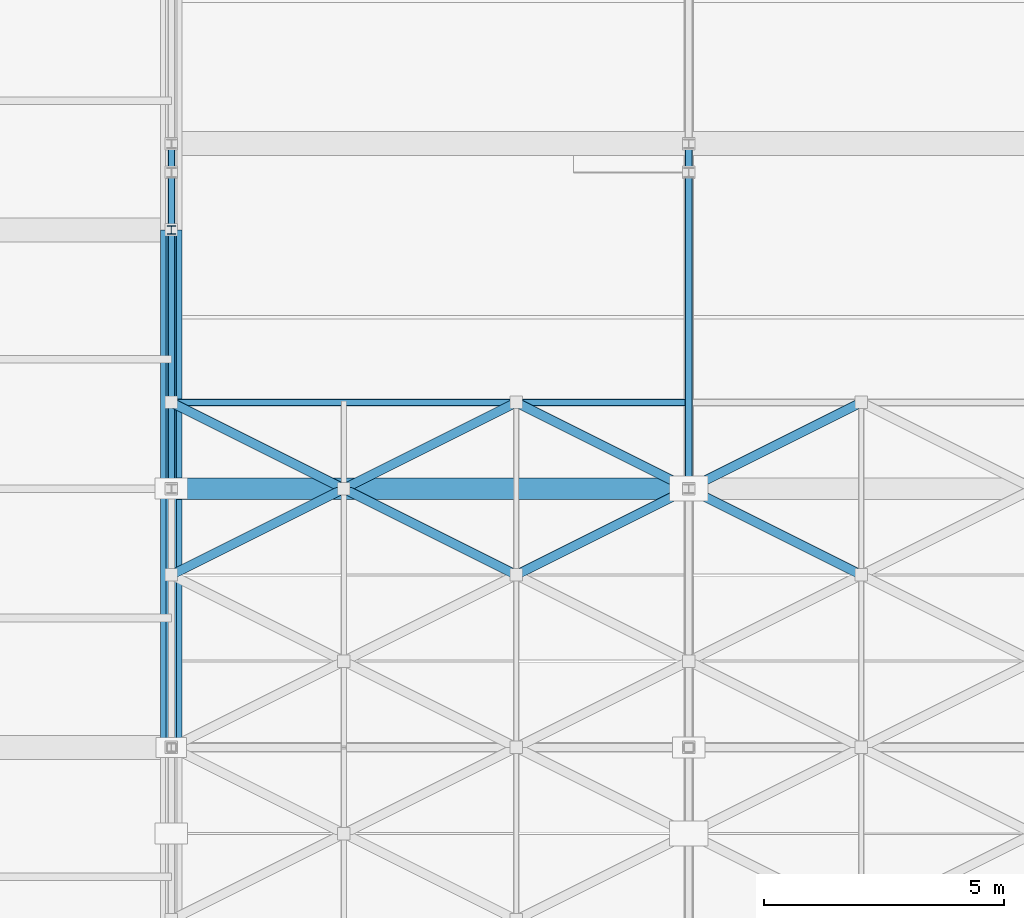
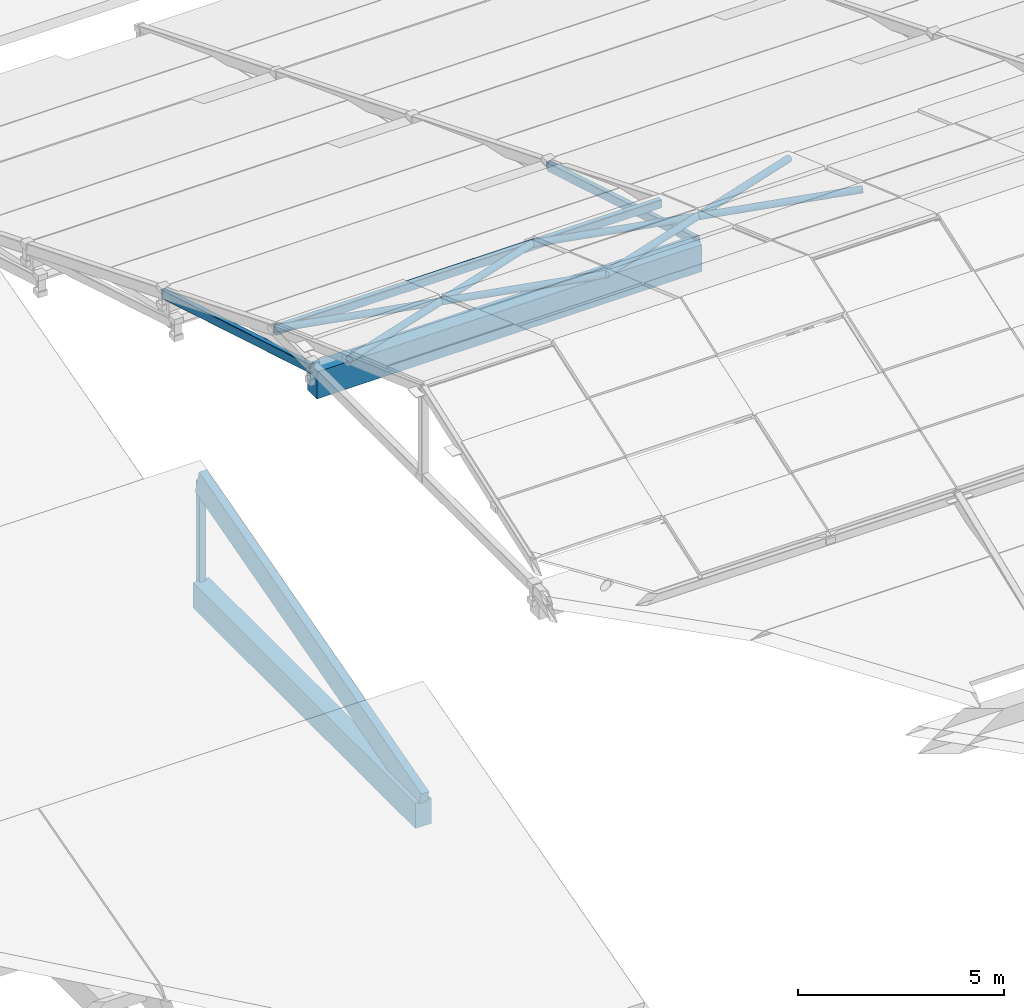
# One storey, part 42 of 112: 13 members, 2 beams.
"""IFC4 building model written with IfcOpenShell, lengths in metres."""

import ifcopenshell
import ifcopenshell.guid

model = None  # the IFC model being written
_history = None  # IfcOwnerHistory: only IFC2X3 demands one
_inside = {}  # id of a spatial element -> (the spatial element, [elements in it])
_under = {}  # id of a project, library or spatial element -> (it, [spatial elements below it])
_declared = {}  # id of a project -> (the project, [libraries it declares])
_typed = {}  # id of a type object -> (the type object, [elements of that type])
_made_of = {}  # id of a material, layer set ... -> (it, [elements and type objects made of it])


def new_model(schema):
    """Start an empty IFC model of exactly this schema.

    Asked for "IFC4X3", IfcOpenShell would pick the latest addendum, in which some entities
    have other attributes; the version numbers below select the first issue.
    IFC2X3 requires an IfcOwnerHistory on every rooted entity: one is made here for all.
    """
    global model, _history
    if schema == "IFC4X3":
        model = ifcopenshell.file(schema_version=(4, 3, 0, 0))
    else:
        model = ifcopenshell.file(schema=schema)
    _inside.clear()
    _under.clear()
    _declared.clear()
    _typed.clear()
    _made_of.clear()
    _history = None
    if model.schema == "IFC2X3":
        org = make("IfcOrganization", Name="unknown")
        user = make(
            "IfcPersonAndOrganization",
            ThePerson=make("IfcPerson", FamilyName="unknown"),
            TheOrganization=org,
        )
        app = make(
            "IfcApplication",
            ApplicationDeveloper=org,
            Version="unknown",
            ApplicationFullName="unknown",
            ApplicationIdentifier="unknown",
        )
        _history = make(
            "IfcOwnerHistory",
            OwningUser=user,
            OwningApplication=app,
            ChangeAction="ADDED",
            CreationDate=0,
        )
    return model


def make(cls, **values):
    """One entity of the class cls with the attributes given. An attribute that is None is left unset."""
    return model.create_entity(
        cls, **{name: value for name, value in values.items() if value is not None}
    )


def rooted(cls, **values):
    """An entity with a GlobalId (a new one), such as an element, a storey or a relation."""
    return make(cls, GlobalId=ifcopenshell.guid.new(), OwnerHistory=_history, **values)


def si_unit(unit_type, name, prefix=None):
    """IfcSIUnit, for example si_unit("LENGTHUNIT", "METRE", prefix="MILLI")."""
    return make("IfcSIUnit", UnitType=unit_type, Prefix=prefix, Name=name)


def assignment(units):
    """IfcUnitAssignment: the units of a project."""
    return None if units is None else make("IfcUnitAssignment", Units=units)


def point(xyz):
    """IfcCartesianPoint."""
    return None if xyz is None else make("IfcCartesianPoint", Coordinates=xyz)


def direction(xyz):
    """IfcDirection."""
    return None if xyz is None else make("IfcDirection", DirectionRatios=xyz)


def frame(location, z_axis=None, x_axis=None):
    """IfcAxis2Placement3D, a coordinate frame: its origin and axes. An axis left out is left unset."""
    return make(
        "IfcAxis2Placement3D",
        Location=point(location),
        Axis=direction(z_axis),
        RefDirection=direction(x_axis),
    )


def frame_2d(location, x_axis=None):
    """IfcAxis2Placement2D, a coordinate frame in the plane: its origin and x axis."""
    return make(
        "IfcAxis2Placement2D", Location=point(location), RefDirection=direction(x_axis)
    )


def origin():
    """The frame at (0, 0, 0) with its axes left unset."""
    return frame((0.0, 0.0, 0.0))


def origin_2d():
    """The frame at (0, 0) in the plane with its x axis left unset."""
    return frame_2d((0.0, 0.0))


def place(relative_to, where):
    """IfcLocalPlacement: puts the frame where relative to a parent placement (None: the world)."""
    return make(
        "IfcLocalPlacement", PlacementRelTo=relative_to, RelativePlacement=where
    )


def context(
    kind, dimensions, precision=None, world=None, true_north=None, identifier=None
):
    """IfcGeometricRepresentationContext, for example the 3D "Model" context."""
    return make(
        "IfcGeometricRepresentationContext",
        ContextIdentifier=identifier,
        ContextType=kind,
        CoordinateSpaceDimension=dimensions,
        Precision=precision,
        WorldCoordinateSystem=world,
        TrueNorth=true_north,
    )


def subcontext(parent, identifier, kind, view, scale=None):
    """IfcGeometricRepresentationSubContext, for example "Body" below "Model"."""
    return make(
        "IfcGeometricRepresentationSubContext",
        ContextIdentifier=identifier,
        ContextType=kind,
        ParentContext=parent,
        TargetScale=scale,
        TargetView=view,
    )


def project(units=None, contexts=None):
    """IfcProject with its units and contexts."""
    return rooted(
        "IfcProject",
        Name="project",
        RepresentationContexts=contexts,
        UnitsInContext=assignment(units),
    )


def spatial(cls, under=None, at=None, **own):
    """A site, building, storey or space (cls), placed at a placement, below another one or the project."""
    s = rooted(cls, ObjectPlacement=at, **own)
    if under is not None:
        _under.setdefault(under.id(), (under, []))[1].append(s)
    return s


def profile(cls, at=None, kind="AREA", **sizes):
    """A parametric profile (cls). Its sizes go by their IFC names, for example OverallWidth=200.0."""
    return make(cls, ProfileType=kind, Position=at, **sizes)


def rectangle(**sizes):
    """IfcRectangleProfileDef."""
    return profile("IfcRectangleProfileDef", **sizes)


def hollow_rectangle(**sizes):
    """IfcRectangleHollowProfileDef."""
    return profile("IfcRectangleHollowProfileDef", **sizes)


def hollow_circle(**sizes):
    """IfcCircleHollowProfileDef."""
    return profile("IfcCircleHollowProfileDef", **sizes)


def i_section(**sizes):
    """IfcIShapeProfileDef."""
    return profile("IfcIShapeProfileDef", **sizes)


def extrude(swept, where, along, depth):
    """IfcExtrudedAreaSolid: the profile swept, set in the frame where, extruded along a direction by depth."""
    return make(
        "IfcExtrudedAreaSolid",
        SweptArea=swept,
        Position=where,
        ExtrudedDirection=direction(along),
        Depth=depth,
    )


def shape(context_of_items, identifier, shape_type, items):
    """IfcShapeRepresentation: the items that make up one representation, for example the "Body"."""
    return make(
        "IfcShapeRepresentation",
        ContextOfItems=context_of_items,
        RepresentationIdentifier=identifier,
        RepresentationType=shape_type,
        Items=items,
    )


def material(Name=None, Category=None):
    """IfcMaterial."""
    return make("IfcMaterial", Name=Name, Category=Category)


def material_profile(
    of_material, cross_section, Name=None, Category=None, Priority=None
):
    """IfcMaterialProfile: a cross section and its material."""
    return make(
        "IfcMaterialProfile",
        Name=Name,
        Material=of_material,
        Profile=cross_section,
        Priority=Priority,
        Category=Category,
    )


def profile_set(profiles, Name=None, composite=None):
    """IfcMaterialProfileSet."""
    return make(
        "IfcMaterialProfileSet",
        Name=Name,
        MaterialProfiles=profiles,
        CompositeProfile=composite,
    )


def made_of(thing, what):
    """Note that an element or type object is made of a material, layer set ...; save() writes the relation."""
    if what is not None:
        _made_of.setdefault(what.id(), (what, []))[1].append(thing)
    return thing


def type_object(cls, material=None, **own):
    """A type object (cls), such as IfcWallType, which elements share."""
    return made_of(rooted(cls, **own), material)


def element(
    cls,
    number,
    at=None,
    inside=None,
    cuts=None,
    type_object=None,
    material=None,
    context=None,
    identifier="Body",
    shape_type=None,
    held_by="IfcProductDefinitionShape",
    body=None,
    shapes=None,
    **own,
):
    """One element of the class cls, such as IfcWall. Its Tag is "e" and its number.

    at: its placement. inside: the storey or other place that contains it. cuts: it is an
    opening in that element (IfcRelVoidsElement). A single representation is given by context,
    identifier, shape_type and body (its items); several are given by shapes. held_by: the class
    of the entity that holds the representations. save() writes the other relations.
    """
    e = rooted(cls, Tag="e%d" % number, ObjectPlacement=at, **own)
    if body is not None:
        shapes = [shape(context, identifier, shape_type, body)]
    if shapes is not None:
        e.Representation = make(held_by, Representations=shapes)
    if inside is not None:
        _inside.setdefault(inside.id(), (inside, []))[1].append(e)
    if cuts is not None:
        rooted(
            "IfcRelVoidsElement", RelatingBuildingElement=cuts, RelatedOpeningElement=e
        )
    if type_object is not None:
        _typed.setdefault(type_object.id(), (type_object, []))[1].append(e)
    return made_of(e, material)


def aggregate(whole, parts):
    """IfcRelAggregates: a whole, such as a stair, and the parts it consists of."""
    return rooted("IfcRelAggregates", RelatingObject=whole, RelatedObjects=parts)


def save(model, path):
    """Write the relations noted so far, then the file.

    IfcRelAggregates (storeys below a building ...), IfcRelContainedInSpatialStructure (elements
    in a storey), IfcRelDefinesByType, IfcRelAssociatesMaterial and IfcRelDeclares: one each for
    every whole, place, type object, material and project.
    """
    for whole, parts in _under.values():
        aggregate(whole, parts)
    for where, things in _inside.values():
        rooted(
            "IfcRelContainedInSpatialStructure",
            RelatedElements=things,
            RelatingStructure=where,
        )
    for kind, things in _typed.values():
        rooted("IfcRelDefinesByType", RelatedObjects=things, RelatingType=kind)
    for what, things in _made_of.values():
        rooted("IfcRelAssociatesMaterial", RelatedObjects=things, RelatingMaterial=what)
    for by, libraries in _declared.values():
        rooted("IfcRelDeclares", RelatingContext=by, RelatedDefinitions=libraries)
    model.write(path)


model = new_model("IFC4")

# Units and contexts
model_context = context("Model", 3, precision=1e-05, world=origin(), true_north=direction((0.0, 1.0)))
body_context = subcontext(model_context, "Body", "Model", "MODEL_VIEW")
ifc_project = project(units=[si_unit("LENGTHUNIT", "METRE"), si_unit("AREAUNIT", "SQUARE_METRE"), si_unit("VOLUMEUNIT", "CUBIC_METRE"), si_unit("PLANEANGLEUNIT", "RADIAN"), si_unit("MASSUNIT", "GRAM", prefix="KILO")], contexts=[model_context])

# Site, building, storey
site_placement = place(None, origin())
site = spatial("IfcSite", under=ifc_project, at=site_placement, CompositionType="ELEMENT")
building_placement = place(site_placement, origin())
building = spatial("IfcBuilding", under=site, at=building_placement, Name="Zwinboog Wholesale Market", CompositionType="ELEMENT")
storey_placement = place(building_placement, frame((0.0, 0.0, 19.080078125)))
storey = spatial("IfcBuildingStorey", under=building, at=storey_placement, Name="Roof", CompositionType="ELEMENT", Elevation=19.080078125)

# Beams
ifc_material_1 = material(Name="Precast concrete C45/55", Category="concrete")
ifc_material_profile_1 = material_profile(ifc_material_1, rectangle(XDim=0.449951171875, YDim=0.75, at=origin_2d()), Name="PC 450x750")
ifc_profile_set_1 = profile_set([ifc_material_profile_1], Name="Precast concrete C45/55")
beam_type_1 = type_object("IfcBeamType", Name="BT-04", PredefinedType="BEAM", material=ifc_profile_set_1)
beam_1_placement = place(storey_placement, frame((64.800048828125, 75.60009765625, -9.375), z_axis=(0.0, 1.0, 0.0), x_axis=(-1.0, 0.0, 0.0)))
element("IfcBeam", 1, at=beam_1_placement, inside=storey, type_object=beam_type_1, Name="BG-04 (BMG-Roof-0648-0756-1256)", PredefinedType="BEAM", context=body_context, shape_type="SweptSolid", body=[
    extrude(rectangle(XDim=0.449951171875, YDim=0.75, at=origin_2d()), origin(), (0.0, 0.0, 1.0), 10.7998046875),
])
ifc_material_profile_2 = material_profile(ifc_material_1, rectangle(XDim=0.449951171875, YDim=0.800048828125, at=origin_2d()), Name="PC 450x800")
ifc_profile_set_2 = profile_set([ifc_material_profile_2], Name="Precast concrete C45/55")
beam_type_2 = type_object("IfcBeamType", Name="BT-07", PredefinedType="BEAM", material=ifc_profile_set_2)
beam_2_placement = place(storey_placement, frame((64.800048828125, 81.0, 0.16796875), z_axis=(1.0, 0.0, 0.0), x_axis=(0.0, 1.0, 0.0)))
element("IfcBeam", 2, at=beam_2_placement, inside=storey, type_object=beam_type_2, Name="EB-02 (BMG-Roof-0648-0810-1065)", PredefinedType="BEAM", context=body_context, shape_type="SweptSolid", body=[
    extrude(rectangle(XDim=0.449951171875, YDim=0.800048828125, at=origin_2d()), origin(), (0.0, 0.0, 1.0), 10.800048828125),
])

# Members
ifc_material_2 = material(Name="Steel S355", Category="steel")
ifc_material_profile_3 = material_profile(ifc_material_2, hollow_rectangle(XDim=0.14990234375, YDim=0.25, WallThickness=0.010009765625, InnerFilletRadius=0.010009765625, OuterFilletRadius=0.02001953125, at=origin_2d()), Name="RHS 250x150x10")
ifc_profile_set_3 = profile_set([ifc_material_profile_3], Name="Steel S355")
member_type_1 = type_object("IfcMemberType", Name="MT-02", PredefinedType="CHORD", material=ifc_profile_set_3)
for number, where, z_axis, x_axis, name in (
    (3, (64.800048828125, 88.199951171875, -1.60009765625), (0.0, -0.958194819429, 0.286116563694), (1.0, 0.0, 0.0), "DC-02 (MEM-Roof-0026)"),
    (4, (75.60009765625, 88.199951171875, -1.60009765625), (0.0, -0.958194819429, 0.286116563694), (1.0, 0.0, 0.0), "DC-02 (MEM-Roof-0056)"),
):
    element("IfcMember", number, at=place(storey_placement, frame(where, z_axis=z_axis, x_axis=x_axis)), inside=storey, type_object=member_type_1, Name=name, PredefinedType="CHORD", context=body_context, shape_type="SweptSolid", body=[
        extrude(hollow_rectangle(XDim=0.14990234375, YDim=0.25, WallThickness=0.010009765625, InnerFilletRadius=0.010009765625, OuterFilletRadius=0.02001953125, at=origin_2d()), origin(), (0.0, 0.0, 1.0), 7.51416015625),
    ])
member_1_placement = place(storey_placement, frame((64.800048828125, 82.800048828125, 0.58984375), z_axis=(1.0, 0.0, 0.0), x_axis=(0.0, 1.0, 0.0)))
element("IfcMember", 5, at=member_1_placement, inside=storey, type_object=member_type_1, Name="DC-02 (MEM-Roof-0333)", PredefinedType="CHORD", context=body_context, shape_type="SweptSolid", body=[
    extrude(hollow_rectangle(XDim=0.14990234375, YDim=0.25, WallThickness=0.010009765625, InnerFilletRadius=0.010009765625, OuterFilletRadius=0.02001953125, at=origin_2d()), origin(), (0.0, 0.0, 1.0), 10.800048828125),
])
ifc_material_profile_4 = material_profile(ifc_material_2, hollow_circle(Radius=0.096923828125, WallThickness=0.010009765625, at=origin_2d()), Name="CHS 193.7x10")
ifc_profile_set_4 = profile_set([ifc_material_profile_4], Name="Steel S355")
member_type_2 = type_object("IfcMemberType", Name="MT-06", PredefinedType="BRACE", material=ifc_profile_set_4)
for number, where, z_axis, x_axis, name in (
    (6, (64.800048828125, 79.199951171875, 1.905029296875), (0.883395607837, 0.441727759687, -0.156488933718), (-0.447237858884, 0.894415058897, 0.0), "DB-03 (MEM-Roof-0369)"),
    (7, (64.800048828125, 82.800048828125, 0.6298828125), (0.883403888637, -0.441731900368, 0.15643048852), (0.447237858884, 0.894415058897, 0.0), "DB-03 (MEM-Roof-0370)"),
):
    element("IfcMember", number, at=place(storey_placement, frame(where, z_axis=z_axis, x_axis=x_axis)), inside=storey, type_object=member_type_2, Name=name, PredefinedType="BRACE", context=body_context, shape_type="SweptSolid", body=[
        extrude(hollow_circle(Radius=0.096923828125, WallThickness=0.010009765625, at=origin_2d()), origin(), (0.0, 0.0, 1.0), 4.074951171875),
    ])
for number, where, z_axis, x_axis, name in (
    (8, (68.39990234375, 81.0, 1.267333984375), (0.883408764097, -0.441704382048, 0.156480651826), (0.4472135955, 0.894427191, 0.0), "DB-03 (MEM-Roof-0379)"),
    (9, (68.39990234375, 81.0, 1.267333984375), (0.883417044144, 0.441708522072, -0.156422209566), (-0.4472135955, 0.894427191, 0.0), "DB-03 (MEM-Roof-0380)"),
    (10, (72.0, 79.199951171875, 1.905029296875), (0.883408764097, 0.441704382048, -0.156480651826), (-0.4472135955, 0.894427191, 0.0), "DB-03 (MEM-Roof-0389)"),
    (11, (72.0, 82.800048828125, 0.6298828125), (0.883417044144, -0.441708522072, 0.156422209566), (0.4472135955, 0.894427191, 0.0), "DB-03 (MEM-Roof-0390)"),
):
    element("IfcMember", number, at=place(storey_placement, frame(where, z_axis=z_axis, x_axis=x_axis)), inside=storey, type_object=member_type_2, Name=name, PredefinedType="BRACE", context=body_context, shape_type="SweptSolid", body=[
        extrude(hollow_circle(Radius=0.096923828125, WallThickness=0.010009765625, at=origin_2d()), origin(), (0.0, 0.0, 1.0), 4.0751953125),
    ])
for number, where, z_axis, x_axis, name in (
    (12, (75.60009765625, 81.0, 1.267333984375), (0.883395607837, -0.441727759687, 0.156488933718), (0.447237858884, 0.894415058897, 0.0), "DB-03 (MEM-Roof-0399)"),
    (13, (75.60009765625, 81.0, 1.267333984375), (0.883403888637, 0.441731900368, -0.15643048852), (-0.447237858884, 0.894415058897, 0.0), "DB-03 (MEM-Roof-0400)"),
):
    element("IfcMember", number, at=place(storey_placement, frame(where, z_axis=z_axis, x_axis=x_axis)), inside=storey, type_object=member_type_2, Name=name, PredefinedType="BRACE", context=body_context, shape_type="SweptSolid", body=[
        extrude(hollow_circle(Radius=0.096923828125, WallThickness=0.010009765625, at=origin_2d()), origin(), (0.0, 0.0, 1.0), 4.074951171875),
    ])
ifc_material_profile_5 = material_profile(ifc_material_2, i_section(OverallWidth=0.179931640625, OverallDepth=0.1708984375, WebThickness=0.006103515625, FlangeThickness=0.009521484375, FilletRadius=0.014892578125, at=origin_2d()), Name="HEA 180")
ifc_profile_set_5 = profile_set([ifc_material_profile_5], Name="Steel S355")
member_type_3 = type_object("IfcMemberType", Name="MT-07", PredefinedType="BRACE", material=ifc_profile_set_5)
member_2_placement = place(storey_placement, frame((64.800048828125, 86.39990234375, -9.2001953125), z_axis=(0.0, 0.0, 1.0), x_axis=(1.0, 0.0, 0.0)))
element("IfcMember", 14, at=member_2_placement, inside=storey, type_object=member_type_3, Name="DB-04 (MEM-Roof-0862)", PredefinedType="BRACE", context=body_context, shape_type="SweptSolid", body=[
    extrude(i_section(OverallWidth=0.179931640625, OverallDepth=0.1708984375, WebThickness=0.006103515625, FlangeThickness=0.009521484375, FilletRadius=0.014892578125, at=origin_2d()), origin(), (0.0, 0.0, 1.0), 3.14697265625),
])
ifc_material_3 = material(Name="Glulam GL28h", Category="wood")
ifc_material_profile_6 = material_profile(ifc_material_3, rectangle(XDim=0.219970703125, YDim=0.719970703125, at=origin_2d()), Name="GL28h 220x720")
ifc_profile_set_6 = profile_set([ifc_material_profile_6], Name="Glulam GL28h")
member_type_4 = type_object("IfcMemberType", Name="MT-10", PredefinedType="RAFTER", material=ifc_profile_set_6)
member_3_placement = place(storey_placement, frame((64.800048828125, 75.60009765625, -9.05322265625), z_axis=(0.0, 0.963516661409, 0.267648357342), x_axis=(-1.0, 0.0, 0.0)))
element("IfcMember", 15, at=member_3_placement, inside=storey, type_object=member_type_4, Name="GR-02 (MEM-Roof-0863)", PredefinedType="RAFTER", context=body_context, shape_type="SweptSolid", body=[
    extrude(rectangle(XDim=0.219970703125, YDim=0.719970703125, at=origin_2d()), origin(), (0.0, 0.0, 1.0), 11.208740234375),
])

save(model, "model.ifc")
